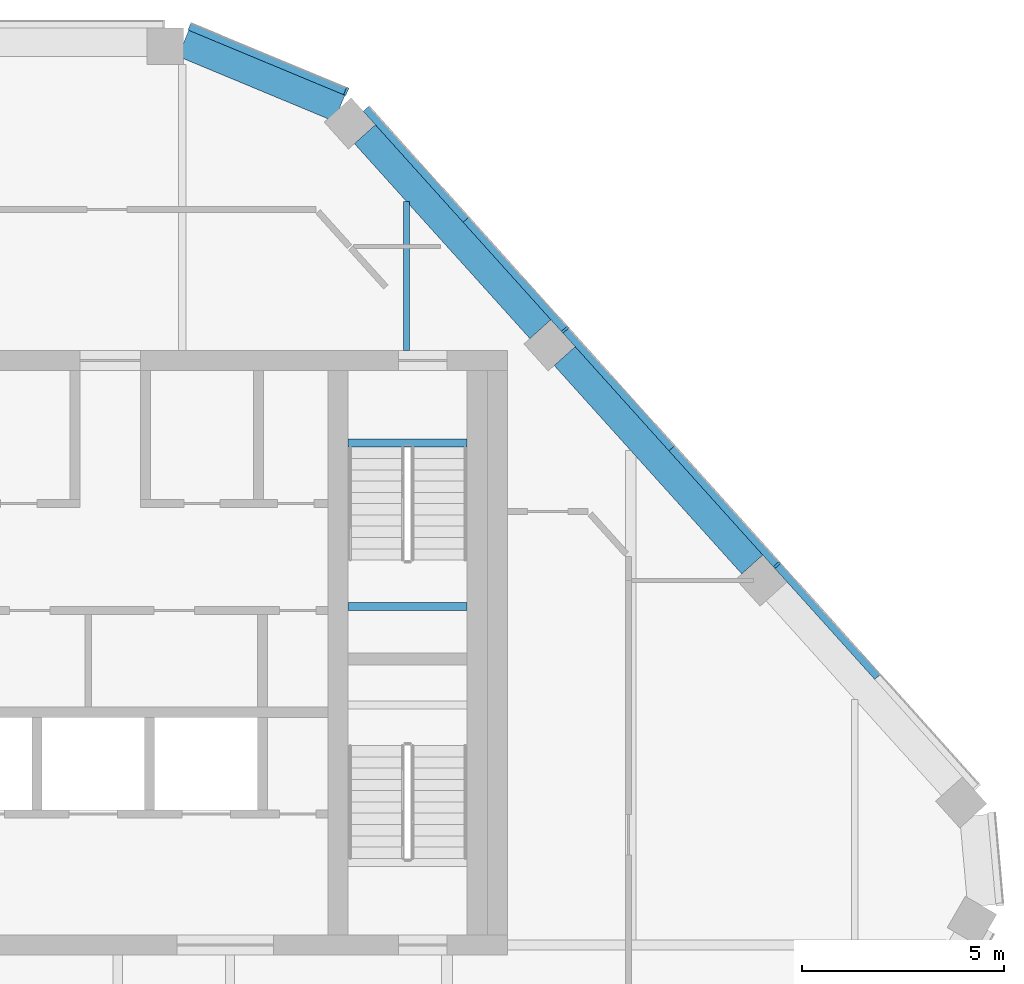
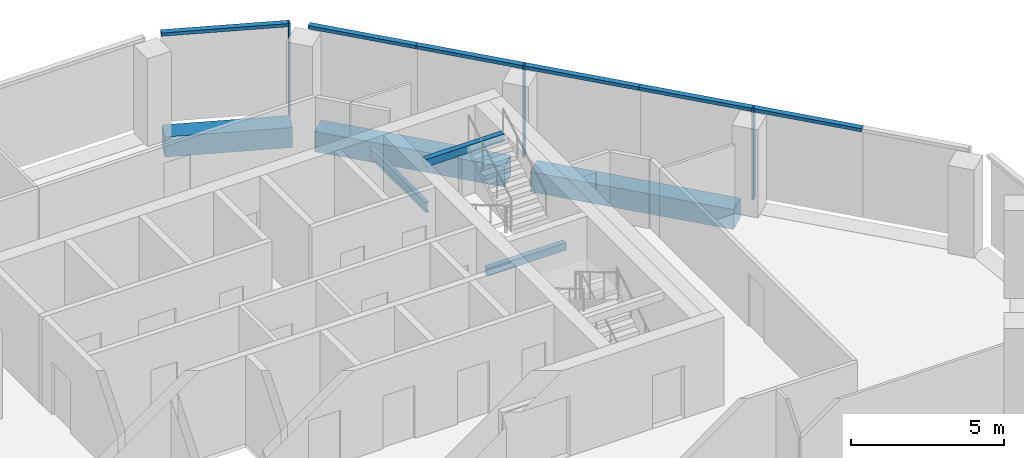
# One storey, part 6 of 15: 9 members, 6 beams, 2 elements without a shape of their own.
"""IFC4 building model written with IfcOpenShell, lengths in metres."""

import ifcopenshell
import ifcopenshell.guid

model = None  # the IFC model being written
_history = None  # IfcOwnerHistory: only IFC2X3 demands one
_inside = {}  # id of a spatial element -> (the spatial element, [elements in it])
_under = {}  # id of a project, library or spatial element -> (it, [spatial elements below it])
_declared = {}  # id of a project -> (the project, [libraries it declares])
_typed = {}  # id of a type object -> (the type object, [elements of that type])
_made_of = {}  # id of a material, layer set ... -> (it, [elements and type objects made of it])


def new_model(schema):
    """Start an empty IFC model of exactly this schema.

    Asked for "IFC4X3", IfcOpenShell would pick the latest addendum, in which some entities
    have other attributes; the version numbers below select the first issue.
    IFC2X3 requires an IfcOwnerHistory on every rooted entity: one is made here for all.
    """
    global model, _history
    if schema == "IFC4X3":
        model = ifcopenshell.file(schema_version=(4, 3, 0, 0))
    else:
        model = ifcopenshell.file(schema=schema)
    _inside.clear()
    _under.clear()
    _declared.clear()
    _typed.clear()
    _made_of.clear()
    _history = None
    if model.schema == "IFC2X3":
        org = make("IfcOrganization", Name="unknown")
        user = make(
            "IfcPersonAndOrganization",
            ThePerson=make("IfcPerson", FamilyName="unknown"),
            TheOrganization=org,
        )
        app = make(
            "IfcApplication",
            ApplicationDeveloper=org,
            Version="unknown",
            ApplicationFullName="unknown",
            ApplicationIdentifier="unknown",
        )
        _history = make(
            "IfcOwnerHistory",
            OwningUser=user,
            OwningApplication=app,
            ChangeAction="ADDED",
            CreationDate=0,
        )
    return model


def make(cls, **values):
    """One entity of the class cls with the attributes given. An attribute that is None is left unset."""
    return model.create_entity(
        cls, **{name: value for name, value in values.items() if value is not None}
    )


def rooted(cls, **values):
    """An entity with a GlobalId (a new one), such as an element, a storey or a relation."""
    return make(cls, GlobalId=ifcopenshell.guid.new(), OwnerHistory=_history, **values)


def si_unit(unit_type, name, prefix=None):
    """IfcSIUnit, for example si_unit("LENGTHUNIT", "METRE", prefix="MILLI")."""
    return make("IfcSIUnit", UnitType=unit_type, Prefix=prefix, Name=name)


def assignment(units):
    """IfcUnitAssignment: the units of a project."""
    return None if units is None else make("IfcUnitAssignment", Units=units)


def point(xyz):
    """IfcCartesianPoint."""
    return None if xyz is None else make("IfcCartesianPoint", Coordinates=xyz)


def direction(xyz):
    """IfcDirection."""
    return None if xyz is None else make("IfcDirection", DirectionRatios=xyz)


def frame(location, z_axis=None, x_axis=None):
    """IfcAxis2Placement3D, a coordinate frame: its origin and axes. An axis left out is left unset."""
    return make(
        "IfcAxis2Placement3D",
        Location=point(location),
        Axis=direction(z_axis),
        RefDirection=direction(x_axis),
    )


def frame_2d(location, x_axis=None):
    """IfcAxis2Placement2D, a coordinate frame in the plane: its origin and x axis."""
    return make(
        "IfcAxis2Placement2D", Location=point(location), RefDirection=direction(x_axis)
    )


def origin():
    """The frame at (0, 0, 0) with its axes left unset."""
    return frame((0.0, 0.0, 0.0))


def origin_2d():
    """The frame at (0, 0) in the plane with its x axis left unset."""
    return frame_2d((0.0, 0.0))


def place(relative_to, where):
    """IfcLocalPlacement: puts the frame where relative to a parent placement (None: the world)."""
    return make(
        "IfcLocalPlacement", PlacementRelTo=relative_to, RelativePlacement=where
    )


def context(
    kind, dimensions, precision=None, world=None, true_north=None, identifier=None
):
    """IfcGeometricRepresentationContext, for example the 3D "Model" context."""
    return make(
        "IfcGeometricRepresentationContext",
        ContextIdentifier=identifier,
        ContextType=kind,
        CoordinateSpaceDimension=dimensions,
        Precision=precision,
        WorldCoordinateSystem=world,
        TrueNorth=true_north,
    )


def subcontext(parent, identifier, kind, view, scale=None):
    """IfcGeometricRepresentationSubContext, for example "Body" below "Model"."""
    return make(
        "IfcGeometricRepresentationSubContext",
        ContextIdentifier=identifier,
        ContextType=kind,
        ParentContext=parent,
        TargetScale=scale,
        TargetView=view,
    )


def project(units=None, contexts=None):
    """IfcProject with its units and contexts."""
    return rooted(
        "IfcProject",
        Name="project",
        RepresentationContexts=contexts,
        UnitsInContext=assignment(units),
    )


def spatial(cls, under=None, at=None, **own):
    """A site, building, storey or space (cls), placed at a placement, below another one or the project."""
    s = rooted(cls, ObjectPlacement=at, **own)
    if under is not None:
        _under.setdefault(under.id(), (under, []))[1].append(s)
    return s


def profile(cls, at=None, kind="AREA", **sizes):
    """A parametric profile (cls). Its sizes go by their IFC names, for example OverallWidth=200.0."""
    return make(cls, ProfileType=kind, Position=at, **sizes)


def rectangle(**sizes):
    """IfcRectangleProfileDef."""
    return profile("IfcRectangleProfileDef", **sizes)


def i_section(**sizes):
    """IfcIShapeProfileDef."""
    return profile("IfcIShapeProfileDef", **sizes)


def extrude(swept, where, along, depth):
    """IfcExtrudedAreaSolid: the profile swept, set in the frame where, extruded along a direction by depth."""
    return make(
        "IfcExtrudedAreaSolid",
        SweptArea=swept,
        Position=where,
        ExtrudedDirection=direction(along),
        Depth=depth,
    )


def shape(context_of_items, identifier, shape_type, items):
    """IfcShapeRepresentation: the items that make up one representation, for example the "Body"."""
    return make(
        "IfcShapeRepresentation",
        ContextOfItems=context_of_items,
        RepresentationIdentifier=identifier,
        RepresentationType=shape_type,
        Items=items,
    )


def material(Name=None, Category=None):
    """IfcMaterial."""
    return make("IfcMaterial", Name=Name, Category=Category)


def layer(
    of_material, thickness, ventilated=None, Name=None, Category=None, Priority=None
):
    """IfcMaterialLayer: one layer of a wall or slab, of a material (None: an air gap)."""
    return make(
        "IfcMaterialLayer",
        Material=of_material,
        LayerThickness=thickness,
        IsVentilated=ventilated,
        Name=Name,
        Category=Category,
        Priority=Priority,
    )


def layer_set(layers, Name=None):
    """IfcMaterialLayerSet."""
    return make("IfcMaterialLayerSet", MaterialLayers=layers, LayerSetName=Name)


def material_profile(
    of_material, cross_section, Name=None, Category=None, Priority=None
):
    """IfcMaterialProfile: a cross section and its material."""
    return make(
        "IfcMaterialProfile",
        Name=Name,
        Material=of_material,
        Profile=cross_section,
        Priority=Priority,
        Category=Category,
    )


def profile_set(profiles, Name=None, composite=None):
    """IfcMaterialProfileSet."""
    return make(
        "IfcMaterialProfileSet",
        Name=Name,
        MaterialProfiles=profiles,
        CompositeProfile=composite,
    )


def made_of(thing, what):
    """Note that an element or type object is made of a material, layer set ...; save() writes the relation."""
    if what is not None:
        _made_of.setdefault(what.id(), (what, []))[1].append(thing)
    return thing


def type_object(cls, material=None, **own):
    """A type object (cls), such as IfcWallType, which elements share."""
    return made_of(rooted(cls, **own), material)


def element(
    cls,
    number,
    at=None,
    inside=None,
    cuts=None,
    type_object=None,
    material=None,
    context=None,
    identifier="Body",
    shape_type=None,
    held_by="IfcProductDefinitionShape",
    body=None,
    shapes=None,
    **own,
):
    """One element of the class cls, such as IfcWall. Its Tag is "e" and its number.

    at: its placement. inside: the storey or other place that contains it. cuts: it is an
    opening in that element (IfcRelVoidsElement). A single representation is given by context,
    identifier, shape_type and body (its items); several are given by shapes. held_by: the class
    of the entity that holds the representations. save() writes the other relations.
    """
    e = rooted(cls, Tag="e%d" % number, ObjectPlacement=at, **own)
    if body is not None:
        shapes = [shape(context, identifier, shape_type, body)]
    if shapes is not None:
        e.Representation = make(held_by, Representations=shapes)
    if inside is not None:
        _inside.setdefault(inside.id(), (inside, []))[1].append(e)
    if cuts is not None:
        rooted(
            "IfcRelVoidsElement", RelatingBuildingElement=cuts, RelatedOpeningElement=e
        )
    if type_object is not None:
        _typed.setdefault(type_object.id(), (type_object, []))[1].append(e)
    return made_of(e, material)


def aggregate(whole, parts):
    """IfcRelAggregates: a whole, such as a stair, and the parts it consists of."""
    return rooted("IfcRelAggregates", RelatingObject=whole, RelatedObjects=parts)


def save(model, path):
    """Write the relations noted so far, then the file.

    IfcRelAggregates (storeys below a building ...), IfcRelContainedInSpatialStructure (elements
    in a storey), IfcRelDefinesByType, IfcRelAssociatesMaterial and IfcRelDeclares: one each for
    every whole, place, type object, material and project.
    """
    for whole, parts in _under.values():
        aggregate(whole, parts)
    for where, things in _inside.values():
        rooted(
            "IfcRelContainedInSpatialStructure",
            RelatedElements=things,
            RelatingStructure=where,
        )
    for kind, things in _typed.values():
        rooted("IfcRelDefinesByType", RelatedObjects=things, RelatingType=kind)
    for what, things in _made_of.values():
        rooted("IfcRelAssociatesMaterial", RelatedObjects=things, RelatingMaterial=what)
    for by, libraries in _declared.values():
        rooted("IfcRelDeclares", RelatingContext=by, RelatedDefinitions=libraries)
    model.write(path)


model = new_model("IFC4")

# Units and contexts
model_context = context("Model", 3, precision=1e-05, world=origin(), true_north=direction((0.0, 1.0)))
body_context = subcontext(model_context, "Body", "Model", "MODEL_VIEW")
ifc_project = project(units=[si_unit("LENGTHUNIT", "METRE"), si_unit("AREAUNIT", "SQUARE_METRE"), si_unit("VOLUMEUNIT", "CUBIC_METRE"), si_unit("PLANEANGLEUNIT", "RADIAN"), si_unit("MASSUNIT", "GRAM", prefix="KILO")], contexts=[model_context])

# Site, building, storey
site_placement = place(None, origin())
site = spatial("IfcSite", under=ifc_project, at=site_placement, CompositionType="ELEMENT")
building_placement = place(site_placement, origin())
building = spatial("IfcBuilding", under=site, at=building_placement, Name="Isthmus Gate Tower", CompositionType="ELEMENT")
storey_placement = place(building_placement, frame((0.0, 0.0, 286.5)))
storey = spatial("IfcBuildingStorey", under=building, at=storey_placement, Name="L73", CompositionType="ELEMENT", Elevation=286.5)

# Curtain wall, members
ifc_material_1 = material(Name="Aluminium, pale champagne anodised", Category="aluminium")
ifc_layer = layer(ifc_material_1, 0.199951171875)
ifc_layer_set = layer_set([ifc_layer], Name="CW-1 UNITISED CURTAIN WALL 200 DEEP")
curtain_wall_type = type_object("IfcCurtainWallType", Name="CW-1 UNITISED CURTAIN WALL 200 DEEP", PredefinedType="NOTDEFINED", material=ifc_layer_set)
curtain_wall_1_placement = place(storey_placement, origin())
curtain_wall_1 = element("IfcCurtainWall", 1, at=curtain_wall_1_placement, inside=storey, type_object=curtain_wall_type, Name="CW-1 NE L73", PredefinedType="NOTDEFINED")
ifc_material_2 = material(Name="Aluminium, pale champagne anodised", Category="aluminium")
ifc_material_profile_1 = material_profile(ifc_material_2, rectangle(XDim=0.06005859375, YDim=0.199951171875, at=origin_2d()), Name="60x200")
ifc_profile_set_1 = profile_set([ifc_material_profile_1], Name="Aluminium, pale champagne anodised")
member_type_1 = type_object("IfcMemberType", Name="CW-1 MULLION 60 X 200", PredefinedType="MULLION", material=ifc_profile_set_1)
member_1_placement = place(storey_placement, frame((21.69140625, 9.680419921875, 0.0), z_axis=(0.0, 0.0, 1.0), x_axis=(-0.669130606359, 0.743144825477, 0.0)))
member_1 = element("IfcMember", 2, at=member_1_placement, type_object=member_type_1, Name="CW-1 mullion", PredefinedType="MULLION", context=body_context, shape_type="SweptSolid", body=[
    extrude(rectangle(XDim=0.06005859375, YDim=0.199951171875, at=origin_2d()), origin(), (0.0, 0.0, 1.0), 3.64990234375),
])
member_2_placement = place(storey_placement, frame((16.43408203125, 15.519287109375, 0.0), z_axis=(0.0, 0.0, 1.0), x_axis=(-0.669130606359, 0.743144825477, 0.0)))
member_2 = element("IfcMember", 3, at=member_2_placement, type_object=member_type_1, Name="CW-1 mullion", PredefinedType="MULLION", context=body_context, shape_type="SweptSolid", body=[
    extrude(rectangle(XDim=0.06005859375, YDim=0.199951171875, at=origin_2d()), origin(), (0.0, 0.0, 1.0), 3.64990234375),
])

# Curtain wall, member
curtain_wall_2_placement = place(storey_placement, origin())
curtain_wall_2 = element("IfcCurtainWall", 4, at=curtain_wall_2_placement, inside=storey, type_object=curtain_wall_type, Name="CW-1 NE-N L73", PredefinedType="NOTDEFINED")
member_3_placement = place(storey_placement, frame((11.001708984375, 21.427490234375, 0.0), z_axis=(0.0, 0.0, 1.0), x_axis=(-0.923353128387, 0.383951820282, 0.0)))
member_3 = element("IfcMember", 5, at=member_3_placement, type_object=member_type_1, Name="CW-1 mullion", PredefinedType="MULLION", context=body_context, shape_type="SweptSolid", body=[
    extrude(rectangle(XDim=0.06005859375, YDim=0.199951171875, at=origin_2d()), origin(), (0.0, 0.0, 1.0), 3.64990234375),
])

# Member
ifc_material_3 = material(Name="Aluminium, pale champagne anodised", Category="aluminium")
ifc_material_profile_2 = material_profile(ifc_material_3, rectangle(XDim=0.199951171875, YDim=0.1298828125, at=origin_2d()), Name="200x130")
ifc_profile_set_2 = profile_set([ifc_material_profile_2], Name="Aluminium, pale champagne anodised")
member_type_2 = type_object("IfcMemberType", Name="CW-1 TRANSOM 200 X 130", PredefinedType="USERDEFINED", material=ifc_profile_set_2)
member_4_placement = place(storey_placement, frame((24.189453125, 6.906005859375, 3.5849609375), z_axis=(-0.669121330099, 0.743153177754, 0.0), x_axis=(-0.743153177754, -0.669121330099, 0.0)))
member_4 = element("IfcMember", 6, at=member_4_placement, type_object=member_type_2, Name="CW-1 transom", ObjectType="TRANSOM", PredefinedType="USERDEFINED", context=body_context, shape_type="SweptSolid", body=[
    extrude(rectangle(XDim=0.199951171875, YDim=0.1298828125, at=origin_2d()), origin(), (0.0, 0.0, 1.0), 3.703369140625),
])

member_5_placement = place(storey_placement, frame((21.67138671875, 9.702880859375, 3.5849609375), z_axis=(-0.669156480406, 0.743121527565, 0.0), x_axis=(-0.743121527565, -0.669156480406, 0.0)))
member_5 = element("IfcMember", 7, at=member_5_placement, type_object=member_type_2, Name="CW-1 transom", ObjectType="TRANSOM", PredefinedType="USERDEFINED", context=body_context, shape_type="SweptSolid", body=[
    extrude(rectangle(XDim=0.199951171875, YDim=0.1298828125, at=origin_2d()), origin(), (0.0, 0.0, 1.0), 3.868408203125),
])

member_6_placement = place(storey_placement, frame((19.082763671875, 12.57763671875, 3.5849609375), z_axis=(-0.669095199697, 0.743176704252, 0.0), x_axis=(-0.743176704252, -0.669095199697, 0.0)))
member_6 = element("IfcMember", 8, at=member_6_placement, type_object=member_type_2, Name="CW-1 transom", ObjectType="TRANSOM", PredefinedType="USERDEFINED", context=body_context, shape_type="SweptSolid", body=[
    extrude(rectangle(XDim=0.199951171875, YDim=0.1298828125, at=origin_2d()), origin(), (0.0, 0.0, 1.0), 3.92822265625),
])

member_7_placement = place(storey_placement, frame((16.4140625, 15.54150390625, 3.5849609375), z_axis=(-0.669116497993, 0.743157528464, 0.0), x_axis=(-0.743157528464, -0.669116497993, 0.0)))
member_7 = element("IfcMember", 9, at=member_7_placement, type_object=member_type_2, Name="CW-1 transom", ObjectType="TRANSOM", PredefinedType="USERDEFINED", context=body_context, shape_type="SweptSolid", body=[
    extrude(rectangle(XDim=0.199951171875, YDim=0.1298828125, at=origin_2d()), origin(), (0.0, 0.0, 1.0), 3.6435546875),
])

member_8_placement = place(storey_placement, frame((13.97607421875, 18.249267578125, 3.5849609375), z_axis=(-0.669154112043, 0.743123660192, 0.0), x_axis=(-0.743123660192, -0.669154112043, 0.0)))
member_8 = element("IfcMember", 10, at=member_8_placement, type_object=member_type_2, Name="CW-1 transom", ObjectType="TRANSOM", PredefinedType="USERDEFINED", context=body_context, shape_type="SweptSolid", body=[
    extrude(rectangle(XDim=0.199951171875, YDim=0.1298828125, at=origin_2d()), origin(), (0.0, 0.0, 1.0), 3.703125),
])

aggregate(curtain_wall_1, [member_4, member_1, member_5, member_6, member_2, member_7, member_8])

member_9_placement = place(storey_placement, frame((10.97412109375, 21.43896484375, 3.5849609375), z_axis=(-0.923358236369, 0.383939536033, 0.0), x_axis=(-0.383939536033, -0.923358236369, 0.0)))
member_9 = element("IfcMember", 11, at=member_9_placement, type_object=member_type_2, Name="CW-1 transom", ObjectType="TRANSOM", PredefinedType="USERDEFINED", context=body_context, shape_type="SweptSolid", body=[
    extrude(rectangle(XDim=0.199951171875, YDim=0.1298828125, at=origin_2d()), origin(), (0.0, 0.0, 1.0), 4.181640625),
])

aggregate(curtain_wall_2, [member_3, member_9])

# Beams
ifc_material_4 = material(Name="Concrete f'c 50 MPa", Category="concrete")
ifc_material_profile_3 = material_profile(ifc_material_4, rectangle(XDim=0.699951171875, YDim=0.800048828125, at=origin_2d()), Name="RC 700X800")
ifc_profile_set_3 = profile_set([ifc_material_profile_3], Name="Concrete f'c 50 MPa")
beam_type_1 = type_object("IfcBeamType", Name="RC SPANDREL 700 X 800", PredefinedType="SPANDREL", material=ifc_profile_set_3)
beam_1_placement = place(storey_placement, frame((6.95947265625, 22.620849609375, -0.39990234375), z_axis=(0.923360646135, -0.383933740597, 0.0), x_axis=(0.383933740597, 0.923360646135, 0.0)))
element("IfcBeam", 12, at=beam_1_placement, inside=storey, type_object=beam_type_1, Name="str-spandrel-L73-00", PredefinedType="SPANDREL", context=body_context, shape_type="SweptSolid", body=[
    extrude(rectangle(XDim=0.699951171875, YDim=0.800048828125, at=origin_2d()), origin(), (0.0, 0.0, 1.0), 4.19677734375),
])
beam_2_placement = place(storey_placement, frame((11.46484375, 20.36572265625, -0.39990234375), z_axis=(0.669122265754, -0.743152335307, 0.0), x_axis=(0.743152335307, 0.669122265754, 0.0)))
element("IfcBeam", 13, at=beam_2_placement, inside=storey, type_object=beam_type_1, Name="str-spandrel-L73-01", PredefinedType="SPANDREL", context=body_context, shape_type="SweptSolid", body=[
    extrude(rectangle(XDim=0.699951171875, YDim=0.800048828125, at=origin_2d()), origin(), (0.0, 0.0, 1.0), 6.506591796875),
])
beam_3_placement = place(storey_placement, frame((16.4208984375, 14.861572265625, -0.39990234375), z_axis=(0.669131458307, -0.743144058379, 0.0), x_axis=(0.743144058379, 0.669131458307, 0.0)))
element("IfcBeam", 14, at=beam_3_placement, inside=storey, type_object=beam_type_1, Name="str-spandrel-L73-02", PredefinedType="SPANDREL", context=body_context, shape_type="SweptSolid", body=[
    extrude(rectangle(XDim=0.699951171875, YDim=0.800048828125, at=origin_2d()), origin(), (0.0, 0.0, 1.0), 6.956787109375),
])
ifc_material_5 = material(Name="Concrete f'c 40 MPa", Category="concrete")
ifc_material_profile_4 = material_profile(ifc_material_5, rectangle(XDim=0.199951171875, YDim=0.300048828125, at=origin_2d()), Name="STAIR LANDING BEAM RC 200 X 300")
ifc_profile_set_4 = profile_set([ifc_material_profile_4], Name="Concrete f'c 40 MPa")
beam_type_2 = type_object("IfcBeamType", Name="STAIR LANDING BEAM RC 200 X 300", PredefinedType="BEAM", material=ifc_profile_set_4)
for number, where, z_axis, x_axis, name in (
    (15, (11.050048828125, 8.64990234375, 1.47509765625), (1.0, 0.0, 0.0), (0.0, 1.0, 0.0), "L73 ST2 landing beam 1"),
    (16, (11.050048828125, 12.7001953125, 3.35009765625), (1.0, 0.0, 0.0), (0.0, 1.0, 0.0), "L73 ST2 floor-edge seat beam"),
):
    element("IfcBeam", number, at=place(storey_placement, frame(where, z_axis=z_axis, x_axis=x_axis)), inside=storey, type_object=beam_type_2, Name=name, PredefinedType="BEAM", context=body_context, shape_type="SweptSolid", body=[
        extrude(rectangle(XDim=0.199951171875, YDim=0.300048828125, at=origin_2d()), origin(), (0.0, 0.0, 1.0), 2.949951171875),
    ])
ifc_material_6 = material(Name="Structural steel ASTM A992 Gr 50", Category="steel")
ifc_material_profile_5 = material_profile(ifc_material_6, i_section(OverallWidth=0.1396484375, OverallDepth=0.4033203125, WebThickness=0.00634765625, FlangeThickness=0.010986328125, at=origin_2d()), Name="W16X31")
ifc_profile_set_5 = profile_set([ifc_material_profile_5], Name="Structural steel ASTM A992 Gr 50")
beam_type_3 = type_object("IfcBeamType", Name="STEEL FLOOR BEAM W16X31", PredefinedType="JOIST", material=ifc_profile_set_5)
beam_4_placement = place(storey_placement, frame((12.49560546875, 15.0, -0.3515625), z_axis=(0.0, 1.0, 0.0), x_axis=(-1.0, 0.0, 0.0)))
element("IfcBeam", 17, at=beam_4_placement, inside=storey, type_object=beam_type_3, Name="str-beam-L73-07-05", PredefinedType="JOIST", context=body_context, shape_type="SweptSolid", body=[
    extrude(i_section(OverallWidth=0.1396484375, OverallDepth=0.4033203125, WebThickness=0.00634765625, FlangeThickness=0.010986328125, at=origin_2d()), origin(), (0.0, 0.0, 1.0), 3.69775390625),
])

save(model, "model.ifc")
